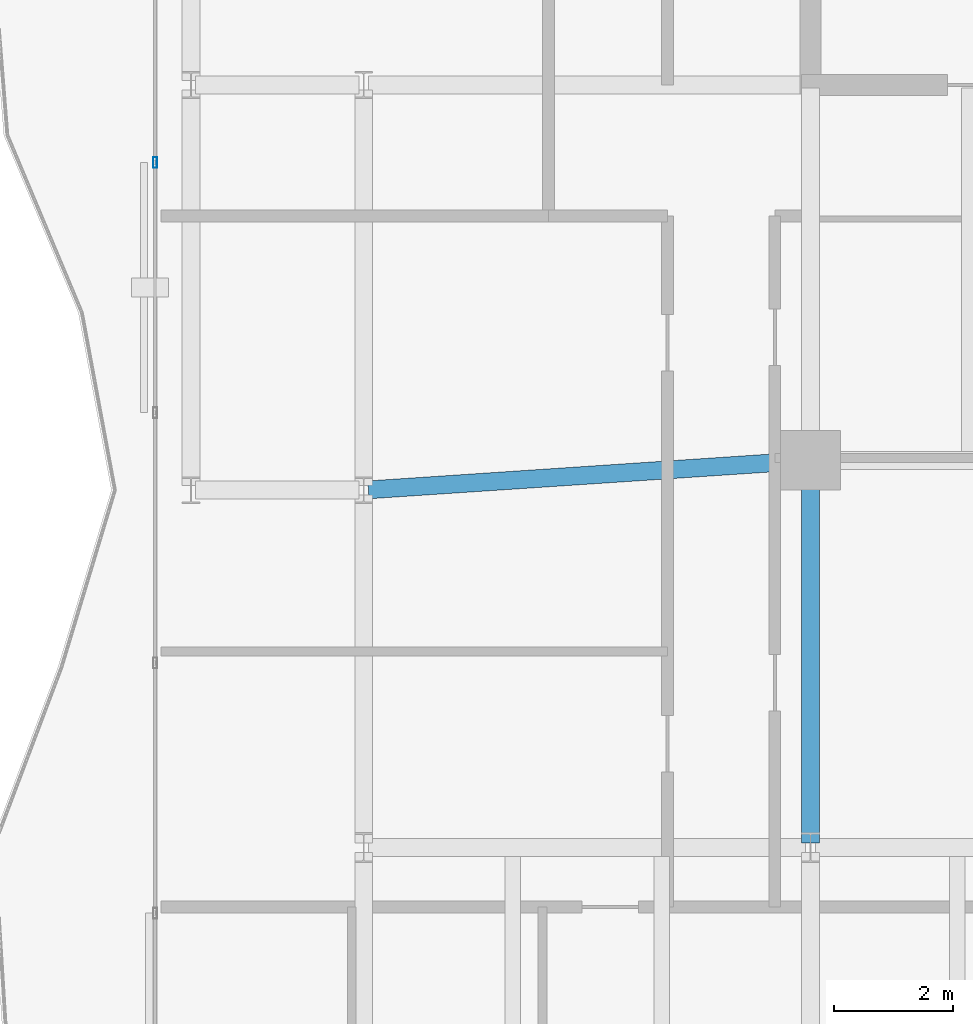
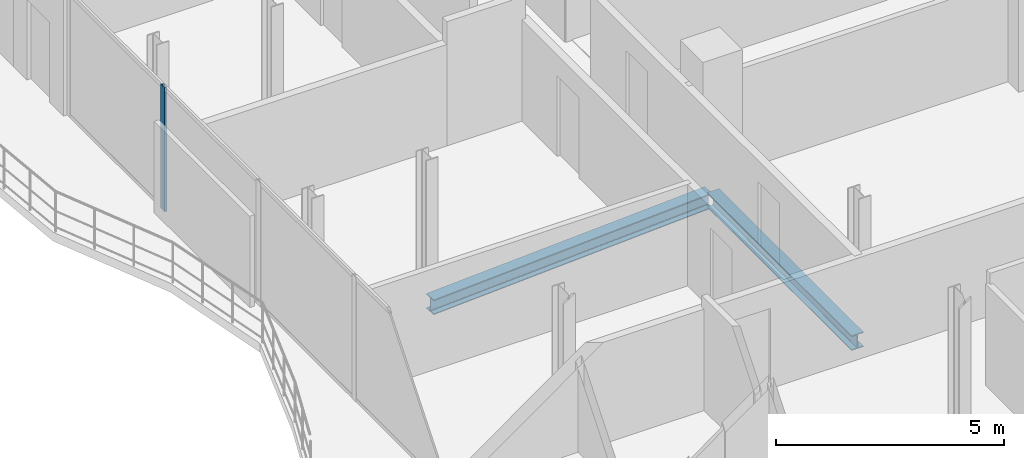
# One storey, part 8 of 23: 2 beams, 1 member, 1 element without a shape of its own.
"""IFC4 building model written with IfcOpenShell, lengths in metres."""

from ifc_helpers import new_model, si_unit, direction, frame, origin, origin_2d, place, context, subcontext, project, spatial, hollow_rectangle, i_section, extrude, material, layer, layer_set, material_profile, profile_set, type_object, element, aggregate, save


model = new_model("IFC4")

# Units and contexts
model_context = context("Model", 3, precision=1e-05, world=origin(), true_north=direction((0.0, 1.0)))
body_context = subcontext(model_context, "Body", "Model", "MODEL_VIEW")
ifc_project = project(units=[si_unit("LENGTHUNIT", "METRE"), si_unit("AREAUNIT", "SQUARE_METRE"), si_unit("VOLUMEUNIT", "CUBIC_METRE"), si_unit("PLANEANGLEUNIT", "RADIAN"), si_unit("MASSUNIT", "GRAM", prefix="KILO")], contexts=[model_context])

# Site, building, storey
site_placement = place(None, origin())
site = spatial("IfcSite", under=ifc_project, at=site_placement, CompositionType="ELEMENT")
building_placement = place(site_placement, origin())
building = spatial("IfcBuilding", under=site, at=building_placement, Name="Catumbela Crestline Tower", CompositionType="ELEMENT")
storey_placement = place(building_placement, frame((0.0, 0.0, 201.0)))
storey = spatial("IfcBuildingStorey", under=building, at=storey_placement, Name="L52", CompositionType="ELEMENT", Elevation=201.0)

# Beams
ifc_material_1 = material(Name="Structural steel S355J2", Category="steel")
ifc_material_profile_1 = material_profile(ifc_material_1, i_section(OverallWidth=0.3, OverallDepth=0.4, WebThickness=0.0135, FlangeThickness=0.024, FilletRadius=0.027, at=origin_2d()), Name="HEB 400")
ifc_profile_set_1 = profile_set([ifc_material_profile_1], Name="Structural steel S355J2")
beam_type = type_object("IfcBeamType", Name="BG-HEB400", PredefinedType="BEAM", material=ifc_profile_set_1)
beam_1_placement = place(storey_placement, frame((8.5798, 24.0053, -0.46), z_axis=(0.997784796964, 0.066524423687, 0.0), x_axis=(-0.066524423687, 0.997784796964, 0.0)))
element("IfcBeam", 1, at=beam_1_placement, inside=storey, type_object=beam_type, Name="L52 Beam BM-L52-S02", PredefinedType="BEAM", context=body_context, shape_type="SweptSolid", body=[
    extrude(i_section(OverallWidth=0.3, OverallDepth=0.4, WebThickness=0.0135, FlangeThickness=0.024, FilletRadius=0.027, at=origin_2d()), origin(), (0.0, 0.0, 1.0), 7.3567),
])
beam_2_placement = place(storey_placement, frame((16.0, 18.08, -0.46), z_axis=(0.0, 1.0, 0.0), x_axis=(-1.0, 0.0, 0.0)))
element("IfcBeam", 2, at=beam_2_placement, inside=storey, type_object=beam_type, Name="L52 Beam BM-L52-WNS42", PredefinedType="BEAM", context=body_context, shape_type="SweptSolid", body=[
    extrude(i_section(OverallWidth=0.3, OverallDepth=0.4, WebThickness=0.0135, FlangeThickness=0.024, FilletRadius=0.027, at=origin_2d()), origin(), (0.0, 0.0, 1.0), 6.34),
])

# Curtain wall, member
ifc_material_2 = material(Name="Aluminium alloy AW-6060-T66", Category="aluminium")
ifc_layer = layer(ifc_material_2, 0.18, Name="Aluminium alloy AW-6060-T66")
ifc_layer_set = layer_set([ifc_layer], Name="Aluminium alloy AW-6060-T66")
curtain_wall_type = type_object("IfcCurtainWallType", Name="CWU-Z3", PredefinedType="USERDEFINED", material=ifc_layer_set)
curtain_wall_placement = place(storey_placement, origin())
curtain_wall = element("IfcCurtainWall", 3, at=curtain_wall_placement, inside=storey, type_object=curtain_wall_type, Name="L52 Unitised Curtain Wall CW-L52-E9S2", ObjectType="UNITISED", PredefinedType="USERDEFINED")
ifc_material_profile_2 = material_profile(ifc_material_2, hollow_rectangle(XDim=0.065, YDim=0.18, WallThickness=0.004, at=origin_2d()), Name="ALU 180x65x4")
ifc_profile_set_2 = profile_set([ifc_material_profile_2], Name="Aluminium alloy AW-6060-T66")
member_type = type_object("IfcMemberType", Name="MUL-180X65", PredefinedType="MULLION", material=ifc_profile_set_2)
member_placement = place(storey_placement, frame((5.0, 29.5, 0.0), z_axis=(0.0, 0.0, 1.0), x_axis=(1.0, 0.0, 0.0)))
member = element("IfcMember", 4, at=member_placement, type_object=member_type, Name="CWU-Z3 mullion 2", PredefinedType="MULLION", context=body_context, shape_type="SweptSolid", body=[
    extrude(hollow_rectangle(XDim=0.065, YDim=0.18, WallThickness=0.004, at=origin_2d()), origin(), (0.0, 0.0, 1.0), 3.33),
])
aggregate(curtain_wall, [member])

save(model, "model.ifc")
